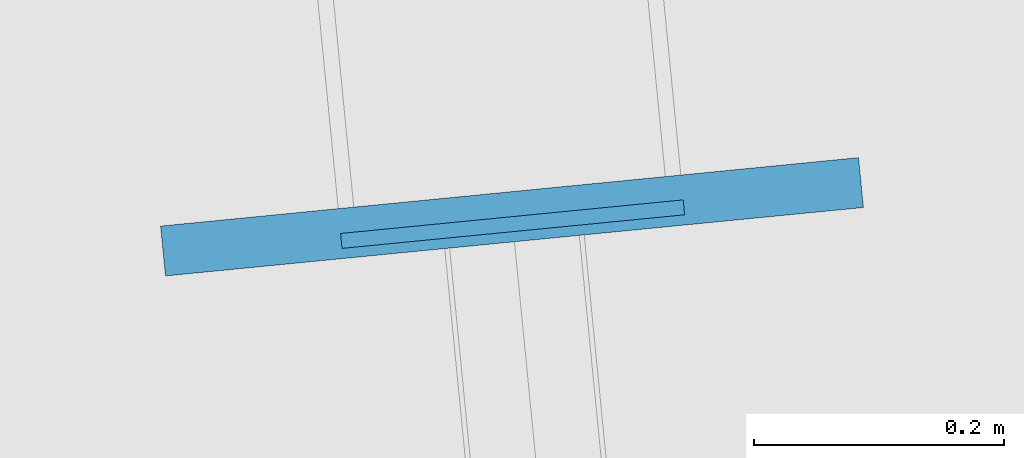
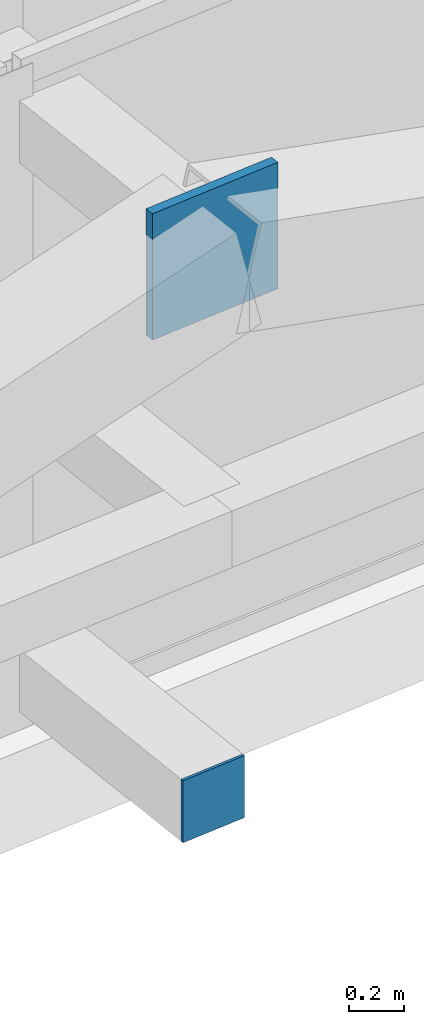
# One storey, part 37 of 51: 2 plates.
"""IFC4 building model written with IfcOpenShell, lengths in metres."""

from ifc_helpers import new_model, si_unit, direction, frame, origin, origin_2d, place, context, subcontext, project, spatial, rectangle, extrude, source, transform, mapped, material, layer, layer_set, type_object, element, save


model = new_model("IFC4")

# Units and contexts
model_context = context("Model", 3, precision=1e-05, world=origin(), true_north=direction((0.0, 1.0)))
body_context = subcontext(model_context, "Body", "Model", "MODEL_VIEW")
ifc_project = project(units=[si_unit("LENGTHUNIT", "METRE"), si_unit("AREAUNIT", "SQUARE_METRE"), si_unit("VOLUMEUNIT", "CUBIC_METRE"), si_unit("PLANEANGLEUNIT", "RADIAN"), si_unit("MASSUNIT", "GRAM", prefix="KILO")], contexts=[model_context])

# Site, building, storey
site_placement = place(None, origin())
site = spatial("IfcSite", under=ifc_project, at=site_placement, CompositionType="ELEMENT")
building_placement = place(site_placement, origin())
building = spatial("IfcBuilding", under=site, at=building_placement, Name="Taldren Reach Tower", CompositionType="ELEMENT")
storey_placement = place(building_placement, frame((0.0, 0.0, 65.10009765625)))
storey = spatial("IfcBuildingStorey", under=building, at=storey_placement, Name="L19", CompositionType="ELEMENT", Elevation=65.10009765625)

# Plates
ifc_material = material(Name="Steel Gr 450 (C450L0)", Category="steel")
ifc_layer_1 = layer(ifc_material, 0.0400390625)
ifc_layer_set_1 = layer_set([ifc_layer_1], Name="Steel Gr 450 (C450L0)")
plate_type_1 = type_object("IfcPlateType", Name="PL-GUSSET-40", PredefinedType="SHEET", material=ifc_layer_set_1)
shared_shape_1 = source(origin(), body_context, "Body", "SweptSolid", [
    extrude(rectangle(XDim=0.56005859375, YDim=0.0400390625, at=origin_2d()), origin(), (0.0, 0.0, 1.0), 0.56005859375),
])
plate_1_placement = place(storey_placement, frame((34.35302734375, 0.2666015625, 2.369873046875), z_axis=(0.0, 0.0, 1.0), x_axis=(0.995227399982, 0.097582899759, 0.0)))
element("IfcPlate", 1, at=plate_1_placement, inside=storey, type_object=plate_type_1, Name="Exoskeleton star-node gusset plate B2-S3 L19", PredefinedType="SHEET", context=body_context, shape_type="MappedRepresentation", body=[
    mapped(shared_shape_1, transform((0.0, 0.0, 0.0), scale=1.0)),
])
ifc_layer_2 = layer(ifc_material, 0.011962890625)
ifc_layer_set_2 = layer_set([ifc_layer_2], Name="Steel Gr 450 (C450L0)")
plate_type_2 = type_object("IfcPlateType", Name="PL-CAP-275", PredefinedType="SHEET", material=ifc_layer_set_2)
shared_shape_2 = source(origin(), body_context, "Body", "SweptSolid", [
    extrude(rectangle(XDim=0.27490234375, YDim=0.011962890625, at=origin_2d()), origin(), (0.0, 0.0, 1.0), 0.27490234375),
])
plate_2_placement = place(storey_placement, frame((34.353515625, 0.2607421875, 0.08251953125), z_axis=(0.0, 0.0, 1.0), x_axis=(0.995227399982, 0.097582899759, 0.0)))
element("IfcPlate", 2, at=plate_2_placement, inside=storey, type_object=plate_type_2, Name="Tie strut end cap plate B2-S3 L19", PredefinedType="SHEET", context=body_context, shape_type="MappedRepresentation", body=[
    mapped(shared_shape_2, transform((0.0, 0.0, 0.0), scale=1.0)),
])

save(model, "model.ifc")
